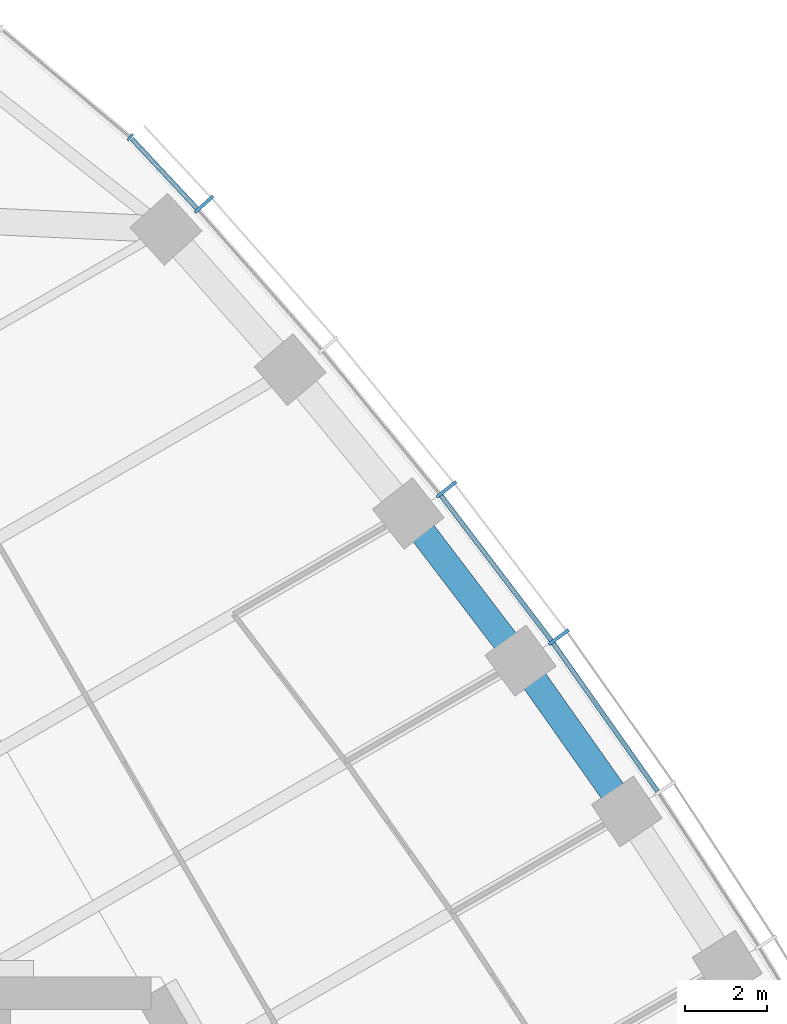
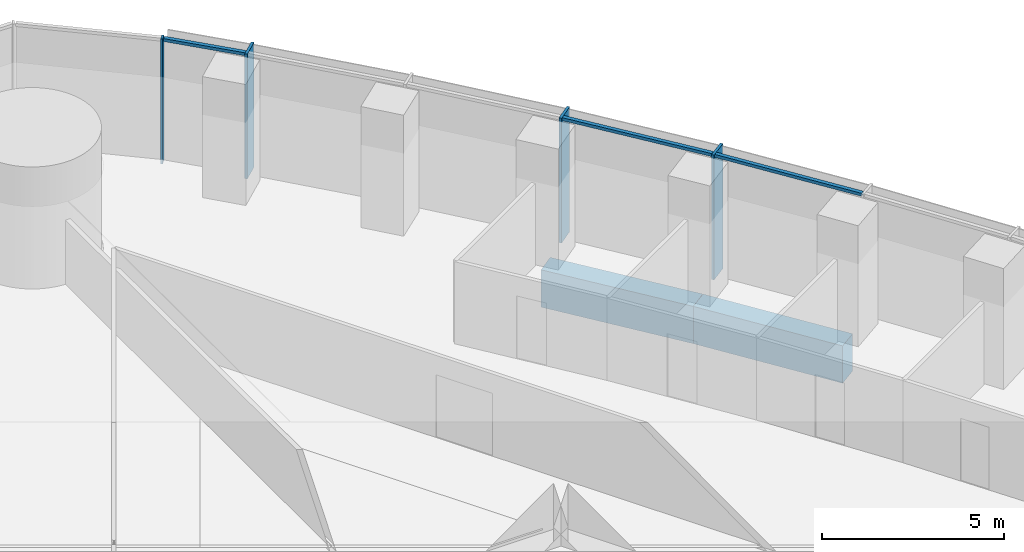
# One storey, part 7 of 21: 7 members, 2 beams, 2 elements without a shape of their own.
"""IFC4 building model written with IfcOpenShell, lengths in metres."""

from ifc_helpers import new_model, si_unit, direction, frame, origin, origin_2d, place, context, subcontext, project, spatial, rectangle, extrude, material, material_profile, profile_set, type_object, element, aggregate, save


model = new_model("IFC4")

# Units and contexts
model_context = context("Model", 3, precision=1e-05, world=origin(), true_north=direction((0.0, 1.0)))
body_context = subcontext(model_context, "Body", "Model", "MODEL_VIEW")
ifc_project = project(units=[si_unit("LENGTHUNIT", "METRE"), si_unit("AREAUNIT", "SQUARE_METRE"), si_unit("VOLUMEUNIT", "CUBIC_METRE"), si_unit("PLANEANGLEUNIT", "RADIAN"), si_unit("MASSUNIT", "GRAM", prefix="KILO")], contexts=[model_context])

# Site, building, storey
site_placement = place(None, origin())
site = spatial("IfcSite", under=ifc_project, at=site_placement, CompositionType="ELEMENT")
building_placement = place(site_placement, origin())
building = spatial("IfcBuilding", under=site, at=building_placement, Name="Trefoil Bronze Tower", CompositionType="ELEMENT")
storey_placement = place(building_placement, frame((0.0, 0.0, 149.300048828125)))
storey = spatial("IfcBuildingStorey", under=building, at=storey_placement, Name="L34", CompositionType="ELEMENT", Elevation=149.300048828125)

# Curtain wall, members
ifc_material_1 = material(Name="Tinted solar-control glass", Category="glass")
curtain_wall_type_1 = type_object("IfcCurtainWallType", Name="Bronze office curtain wall", PredefinedType="USERDEFINED", material=ifc_material_1)
curtain_wall_1_placement = place(storey_placement, origin())
curtain_wall_1 = element("IfcCurtainWall", 1, at=curtain_wall_1_placement, inside=storey, type_object=curtain_wall_type_1, Name="CW-A L34 F2", ObjectType="CURTAIN WALL", PredefinedType="USERDEFINED")
ifc_material_2 = material(Name="Bronze-finish aluminium", Category="aluminium")
ifc_material_profile_1 = material_profile(ifc_material_2, rectangle(XDim=0.60009765625, YDim=0.080078125, at=origin_2d()), Name="CW-A mullion")
ifc_profile_set_1 = profile_set([ifc_material_profile_1], Name="Bronze-finish aluminium")
member_type_1 = type_object("IfcMemberType", Name="Bronze office curtain wall mullion", PredefinedType="MULLION", material=ifc_profile_set_1)
member_1_placement = place(storey_placement, frame((15.764404296875, 24.7275390625, 0.0), z_axis=(0.0, 0.0, 1.0), x_axis=(-0.806874522901, -0.590722865897, 0.0)))
member_1 = element("IfcMember", 2, at=member_1_placement, type_object=member_type_1, Name="CW-A L34 F2 mullion 11", PredefinedType="MULLION", context=body_context, shape_type="SweptSolid", body=[
    extrude(rectangle(XDim=0.60009765625, YDim=0.080078125, at=origin_2d()), origin(), (0.0, 0.0, 1.0), 4.179931640625),
])
member_2_placement = place(storey_placement, frame((13.01220703125, 28.34716796875, 0.0), z_axis=(0.0, 0.0, 1.0), x_axis=(-0.78487913905, -0.619648882098, 0.0)))
member_2 = element("IfcMember", 3, at=member_2_placement, type_object=member_type_1, Name="CW-A L34 F2 mullion 12", PredefinedType="MULLION", context=body_context, shape_type="SweptSolid", body=[
    extrude(rectangle(XDim=0.60009765625, YDim=0.080078125, at=origin_2d()), origin(), (0.0, 0.0, 1.0), 4.179931640625),
])
member_3_placement = place(storey_placement, frame((7.070068359375, 35.332275390625, 0.0), z_axis=(0.0, 0.0, 1.0), x_axis=(-0.740360700327, -0.672209813534, 0.0)))
member_3 = element("IfcMember", 4, at=member_3_placement, type_object=member_type_1, Name="CW-A L34 F2 mullion 14", PredefinedType="MULLION", context=body_context, shape_type="SweptSolid", body=[
    extrude(rectangle(XDim=0.60009765625, YDim=0.080078125, at=origin_2d()), origin(), (0.0, 0.0, 1.0), 4.179931640625),
])
ifc_material_3 = material(Name="Bronze-finish aluminium", Category="aluminium")
ifc_material_profile_2 = material_profile(ifc_material_3, rectangle(XDim=0.1201171875, YDim=0.10009765625, at=origin_2d()), Name="CW-A transom")
ifc_profile_set_2 = profile_set([ifc_material_profile_2], Name="Bronze-finish aluminium")
member_type_2 = type_object("IfcMemberType", Name="Bronze office curtain wall transom", PredefinedType="USERDEFINED", material=ifc_profile_set_2)
member_4_placement = place(storey_placement, frame((18.18359375, 20.947021484375, 4.1298828125), z_axis=(-0.576017858824, 0.817437108478, 0.0), x_axis=(-0.817437108478, -0.576017858824, 0.0)))
member_4 = element("IfcMember", 5, at=member_4_placement, type_object=member_type_2, Name="CW-A L34 F2 transom 10", ObjectType="TRANSOM", PredefinedType="USERDEFINED", context=body_context, shape_type="SweptSolid", body=[
    extrude(rectangle(XDim=0.1201171875, YDim=0.10009765625, at=origin_2d()), origin(), (0.0, 0.0, 1.0), 4.4384765625),
])
member_5_placement = place(storey_placement, frame((15.57763671875, 24.642578125, 4.1298828125), z_axis=(-0.605229114572, 0.796051329296, 0.0), x_axis=(-0.796051329296, -0.605229114572, 0.0)))
member_5 = element("IfcMember", 6, at=member_5_placement, type_object=member_type_2, Name="CW-A L34 F2 transom 11", ObjectType="TRANSOM", PredefinedType="USERDEFINED", context=body_context, shape_type="SweptSolid", body=[
    extrude(rectangle(XDim=0.1201171875, YDim=0.10009765625, at=origin_2d()), origin(), (0.0, 0.0, 1.0), 4.456298828125),
])
member_6_placement = place(storey_placement, frame((6.893798828125, 35.22802734375, 4.1298828125), z_axis=(-0.682489214428, 0.730895664366, 0.0), x_axis=(-0.730895664366, -0.682489214428, 0.0)))
member_6 = element("IfcMember", 7, at=member_6_placement, type_object=member_type_2, Name="CW-A L34 F2 transom 14", ObjectType="TRANSOM", PredefinedType="USERDEFINED", context=body_context, shape_type="SweptSolid", body=[
    extrude(rectangle(XDim=0.1201171875, YDim=0.10009765625, at=origin_2d()), origin(), (0.0, 0.0, 1.0), 2.340087890625),
])
aggregate(curtain_wall_1, [member_1, member_2, member_3, member_4, member_5, member_6])

# Curtain wall, member
ifc_material_4 = material(Name="Tinted solar-control glass", Category="glass")
curtain_wall_type_2 = type_object("IfcCurtainWallType", Name="Bronze rounded corner curtain wall", PredefinedType="USERDEFINED", material=ifc_material_4)
curtain_wall_2_placement = place(storey_placement, origin())
curtain_wall_2 = element("IfcCurtainWall", 8, at=curtain_wall_2_placement, inside=storey, type_object=curtain_wall_type_2, Name="CW-B L34 K2", ObjectType="CURTAIN WALL", PredefinedType="USERDEFINED")
ifc_material_5 = material(Name="Bronze-finish aluminium", Category="aluminium")
ifc_material_profile_3 = material_profile(ifc_material_5, rectangle(XDim=0.199951171875, YDim=0.06005859375, at=origin_2d()), Name="CW-B mullion")
ifc_profile_set_3 = profile_set([ifc_material_profile_3], Name="Bronze-finish aluminium")
member_type_3 = type_object("IfcMemberType", Name="Bronze rounded corner curtain wall mullion", PredefinedType="MULLION", material=ifc_profile_set_3)
member_7_placement = place(storey_placement, frame((5.260498046875, 36.975830078125, 0.0), z_axis=(0.0, 0.0, 1.0), x_axis=(-0.642787609687, -0.766044443119, 0.0)))
member_7 = element("IfcMember", 9, at=member_7_placement, type_object=member_type_3, Name="CW-B L34 K2 mullion 1", PredefinedType="MULLION", context=body_context, shape_type="SweptSolid", body=[
    extrude(rectangle(XDim=0.199951171875, YDim=0.06005859375, at=origin_2d()), origin(), (0.0, 0.0, 1.0), 4.179931640625),
])
aggregate(curtain_wall_2, [member_7])

# Beams
ifc_material_6 = material(Name="Concrete B80", Category="concrete")
ifc_material_profile_4 = material_profile(ifc_material_6, rectangle(XDim=0.64990234375, YDim=1.25, at=origin_2d()), Name="RC 650x1250")
ifc_profile_set_4 = profile_set([ifc_material_profile_4], Name="Concrete B80")
beam_type = type_object("IfcBeamType", Name="Spandrel beam RC 650x1250", PredefinedType="SPANDREL", material=ifc_profile_set_4)
beam_1_placement = place(storey_placement, frame((17.43017578125, 20.45556640625, -0.824951171875), z_axis=(-0.576439228712, 0.81714002203, 0.0), x_axis=(-0.81714002203, -0.576439228712, 0.0)))
element("IfcBeam", 10, at=beam_1_placement, inside=storey, type_object=beam_type, Name="Spandrel F2.10 L34", PredefinedType="SPANDREL", context=body_context, shape_type="SweptSolid", body=[
    extrude(rectangle(XDim=0.64990234375, YDim=1.25, at=origin_2d()), origin(), (0.0, 0.0, 1.0), 4.5185546875),
])
beam_2_placement = place(storey_placement, frame((14.825439453125, 24.14794921875, -0.824951171875), z_axis=(-0.605898901788, 0.795541652468, 0.0), x_axis=(-0.795541652468, -0.605898901788, 0.0)))
element("IfcBeam", 11, at=beam_2_placement, inside=storey, type_object=beam_type, Name="Spandrel F2.11 L34", PredefinedType="SPANDREL", context=body_context, shape_type="SweptSolid", body=[
    extrude(rectangle(XDim=0.64990234375, YDim=1.25, at=origin_2d()), origin(), (0.0, 0.0, 1.0), 4.53662109375),
])

save(model, "model.ifc")
